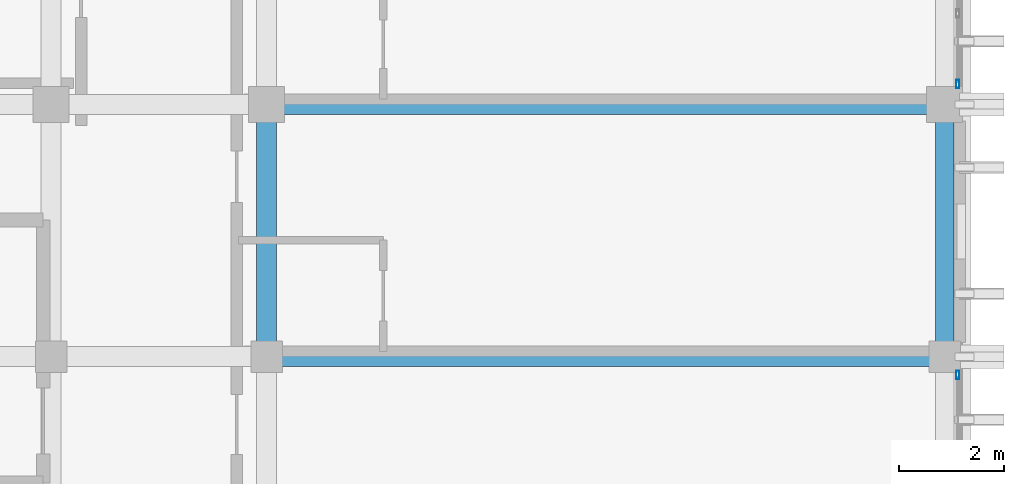
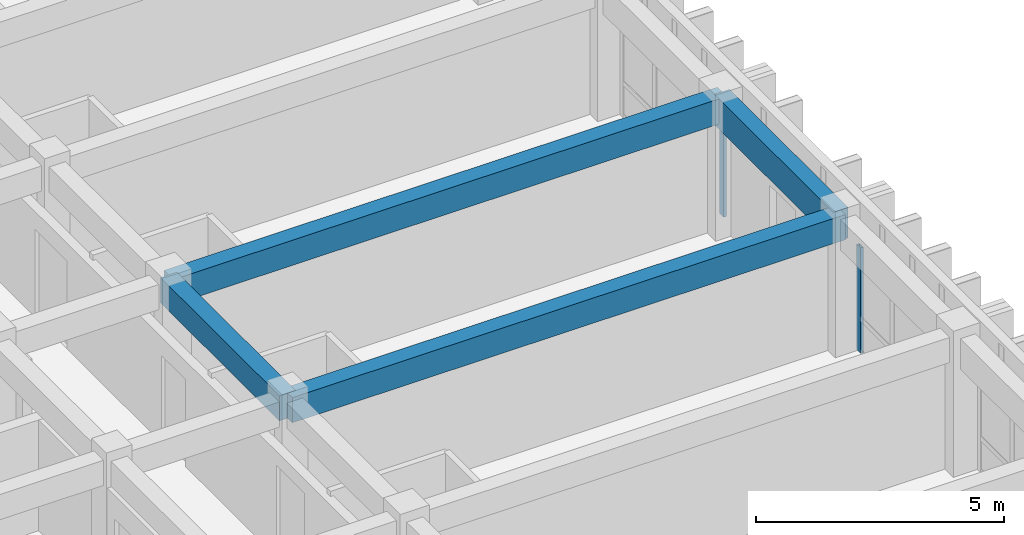
# One storey, part 24 of 53: 4 beams, 2 members, 2 elements without a shape of their own.
"""IFC4 building model written with IfcOpenShell, lengths in metres."""

from ifc_helpers import new_model, si_unit, direction, frame, origin, origin_2d, place, context, subcontext, project, spatial, rectangle, hollow_rectangle, extrude, material, layer, layer_set, material_profile, profile_set, type_object, element, aggregate, save


model = new_model("IFC4")

# Units and contexts
model_context = context("Model", 3, precision=1e-05, world=origin(), true_north=direction((0.0, 1.0)))
body_context = subcontext(model_context, "Body", "Model", "MODEL_VIEW")
ifc_project = project(units=[si_unit("LENGTHUNIT", "METRE"), si_unit("AREAUNIT", "SQUARE_METRE"), si_unit("VOLUMEUNIT", "CUBIC_METRE"), si_unit("PLANEANGLEUNIT", "RADIAN"), si_unit("MASSUNIT", "GRAM", prefix="KILO")], contexts=[model_context])

# Site, building, storey
site_placement = place(None, origin())
site = spatial("IfcSite", under=ifc_project, at=site_placement, CompositionType="ELEMENT")
building_placement = place(site_placement, origin())
building = spatial("IfcBuilding", under=site, at=building_placement, Name="Nakhvara Creek Congress Hotel", CompositionType="ELEMENT")
storey_placement = place(building_placement, frame((0.0, 0.0, 35.39990234375)))
storey = spatial("IfcBuildingStorey", under=building, at=storey_placement, Name="L08", CompositionType="ELEMENT", Elevation=35.39990234375)

# Beams
ifc_material_1 = material(Name="Concrete C40/50", Category="concrete")
ifc_material_profile_1 = material_profile(ifc_material_1, rectangle(XDim=0.3798828125, YDim=0.6201171875, at=origin_2d()), Name="RC-BM 380x620", Category="LoadBearing")
ifc_profile_set_1 = profile_set([ifc_material_profile_1], Name="Concrete C40/50")
beam_type_1 = type_object("IfcBeamType", Name="BM-RC-380X620", PredefinedType="BEAM", material=ifc_profile_set_1)
beam_1_placement = place(storey_placement, frame((166.449951171875, 96.0, 3.050048828125), z_axis=(1.0, 0.0, 0.0), x_axis=(0.0, 1.0, 0.0)))
element("IfcBeam", 1, at=beam_1_placement, inside=storey, type_object=beam_type_1, Name="Beam B10-L08-2485", PredefinedType="BEAM", context=body_context, shape_type="SweptSolid", body=[
    extrude(rectangle(XDim=0.3798828125, YDim=0.6201171875, at=origin_2d()), origin(), (0.0, 0.0, 1.0), 12.900146484375),
])
beam_2_placement = place(storey_placement, frame((166.449951171875, 91.199951171875, 3.050048828125), z_axis=(0.0, 1.0, 0.0), x_axis=(-1.0, 0.0, 0.0)))
element("IfcBeam", 2, at=beam_2_placement, inside=storey, type_object=beam_type_1, Name="Beam B10-L08-2486", PredefinedType="BEAM", context=body_context, shape_type="SweptSolid", body=[
    extrude(rectangle(XDim=0.3798828125, YDim=0.6201171875, at=origin_2d()), origin(), (0.0, 0.0, 1.0), 4.800048828125),
])
beam_3_placement = place(storey_placement, frame((166.449951171875, 91.199951171875, 3.050048828125), z_axis=(1.0, 0.0, 0.0), x_axis=(0.0, 1.0, 0.0)))
element("IfcBeam", 3, at=beam_3_placement, inside=storey, type_object=beam_type_1, Name="Beam B10-L08-2529", PredefinedType="BEAM", context=body_context, shape_type="SweptSolid", body=[
    extrude(rectangle(XDim=0.3798828125, YDim=0.6201171875, at=origin_2d()), origin(), (0.0, 0.0, 1.0), 12.900146484375),
])
ifc_material_profile_2 = material_profile(ifc_material_1, rectangle(XDim=0.35009765625, YDim=0.75, at=origin_2d()), Name="RC-SPANDREL 350x750", Category="LoadBearing")
ifc_profile_set_2 = profile_set([ifc_material_profile_2], Name="Concrete C40/50")
beam_type_2 = type_object("IfcBeamType", Name="BM-SPN-350X750", PredefinedType="SPANDREL", material=ifc_profile_set_2)
beam_4_placement = place(storey_placement, frame((179.35009765625, 91.199951171875, 2.985107421875), z_axis=(0.0, 1.0, 0.0), x_axis=(-1.0, 0.0, 0.0)))
element("IfcBeam", 4, at=beam_4_placement, inside=storey, type_object=beam_type_2, Name="Beam SP1-L08-2504", PredefinedType="SPANDREL", context=body_context, shape_type="SweptSolid", body=[
    extrude(rectangle(XDim=0.35009765625, YDim=0.75, at=origin_2d()), origin(), (0.0, 0.0, 1.0), 4.800048828125),
])

# Curtain wall, member
ifc_material_2 = material(Name="Bronze-anodised aluminium AW-6063-T6 and double-silver low-E glass", Category="aluminium")
ifc_layer = layer(ifc_material_2, 0.199951171875)
ifc_layer_set = layer_set([ifc_layer], Name="Bronze-anodised aluminium AW-6063-T6 and double-silver low-E glass")
curtain_wall_type = type_object("IfcCurtainWallType", Name="CW-HTL-UNIT", PredefinedType="USERDEFINED", material=ifc_layer_set)
curtain_wall_1_placement = place(storey_placement, origin())
curtain_wall_1 = element("IfcCurtainWall", 5, at=curtain_wall_1_placement, inside=storey, type_object=curtain_wall_type, Name="Curtain Wall CW285", ObjectType="UNITISED", PredefinedType="USERDEFINED")
ifc_material_3 = material(Name="Bronze-anodised aluminium AW-6063-T6", Category="aluminium")
ifc_material_profile_3 = material_profile(ifc_material_3, hollow_rectangle(XDim=0.06494140625, YDim=0.159912109375, WallThickness=0.00390625, at=origin_2d()), Name="ALU-MULL 65x160x4", Category="LoadBearing")
ifc_profile_set_3 = profile_set([ifc_material_profile_3], Name="Bronze-anodised aluminium AW-6063-T6")
member_type = type_object("IfcMemberType", Name="CW-MULL-160", PredefinedType="MULLION", material=ifc_profile_set_3)
member_1_placement = place(storey_placement, frame((179.60009765625, 90.8525390625, 0.0), z_axis=(0.0, 0.0, 1.0), x_axis=(1.0, 0.0, 0.0)))
member_1 = element("IfcMember", 6, at=member_1_placement, type_object=member_type, Name="CW285 mullion 1", PredefinedType="MULLION", context=body_context, shape_type="SweptSolid", body=[
    extrude(hollow_rectangle(XDim=0.06494140625, YDim=0.159912109375, WallThickness=0.00390625, at=origin_2d()), origin(), (0.0, 0.0, 1.0), 2.60205078125),
])
aggregate(curtain_wall_1, [member_1])

curtain_wall_2_placement = place(storey_placement, origin())
curtain_wall_2 = element("IfcCurtainWall", 7, at=curtain_wall_2_placement, inside=storey, type_object=curtain_wall_type, Name="Curtain Wall CW287", ObjectType="UNITISED", PredefinedType="USERDEFINED")
member_2_placement = place(storey_placement, frame((179.60009765625, 96.387451171875, 0.0), z_axis=(0.0, 0.0, 1.0), x_axis=(1.0, 0.0, 0.0)))
member_2 = element("IfcMember", 8, at=member_2_placement, type_object=member_type, Name="CW287 mullion 4", PredefinedType="MULLION", context=body_context, shape_type="SweptSolid", body=[
    extrude(hollow_rectangle(XDim=0.06494140625, YDim=0.159912109375, WallThickness=0.00390625, at=origin_2d()), origin(), (0.0, 0.0, 1.0), 2.60205078125),
])
aggregate(curtain_wall_2, [member_2])

save(model, "model.ifc")
